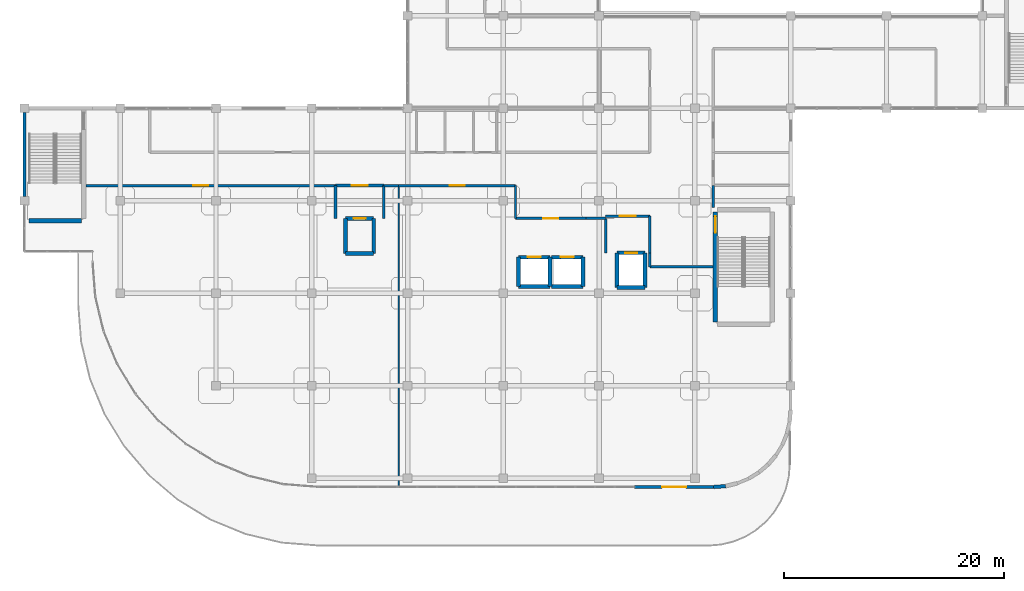
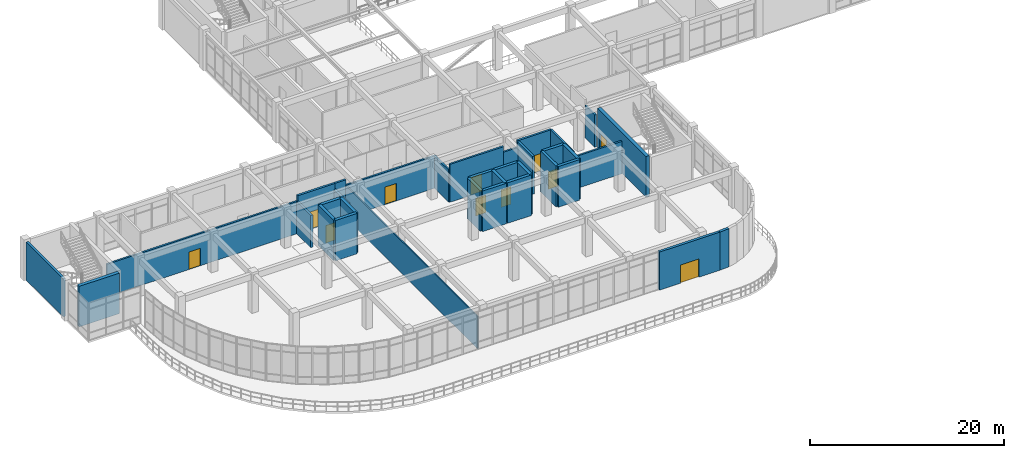
# One storey, part 79 of 96: 36 walls, 11 doors, 11 openings.
"""IFC4 building model written with IfcOpenShell, lengths in metres."""

import ifcopenshell
import ifcopenshell.guid

model = None  # the IFC model being written
_history = None  # IfcOwnerHistory: only IFC2X3 demands one
_inside = {}  # id of a spatial element -> (the spatial element, [elements in it])
_under = {}  # id of a project, library or spatial element -> (it, [spatial elements below it])
_declared = {}  # id of a project -> (the project, [libraries it declares])
_typed = {}  # id of a type object -> (the type object, [elements of that type])
_made_of = {}  # id of a material, layer set ... -> (it, [elements and type objects made of it])


def new_model(schema):
    """Start an empty IFC model of exactly this schema.

    Asked for "IFC4X3", IfcOpenShell would pick the latest addendum, in which some entities
    have other attributes; the version numbers below select the first issue.
    IFC2X3 requires an IfcOwnerHistory on every rooted entity: one is made here for all.
    """
    global model, _history
    if schema == "IFC4X3":
        model = ifcopenshell.file(schema_version=(4, 3, 0, 0))
    else:
        model = ifcopenshell.file(schema=schema)
    _inside.clear()
    _under.clear()
    _declared.clear()
    _typed.clear()
    _made_of.clear()
    _history = None
    if model.schema == "IFC2X3":
        org = make("IfcOrganization", Name="unknown")
        user = make(
            "IfcPersonAndOrganization",
            ThePerson=make("IfcPerson", FamilyName="unknown"),
            TheOrganization=org,
        )
        app = make(
            "IfcApplication",
            ApplicationDeveloper=org,
            Version="unknown",
            ApplicationFullName="unknown",
            ApplicationIdentifier="unknown",
        )
        _history = make(
            "IfcOwnerHistory",
            OwningUser=user,
            OwningApplication=app,
            ChangeAction="ADDED",
            CreationDate=0,
        )
    return model


def make(cls, **values):
    """One entity of the class cls with the attributes given. An attribute that is None is left unset."""
    return model.create_entity(
        cls, **{name: value for name, value in values.items() if value is not None}
    )


def rooted(cls, **values):
    """An entity with a GlobalId (a new one), such as an element, a storey or a relation."""
    return make(cls, GlobalId=ifcopenshell.guid.new(), OwnerHistory=_history, **values)


def si_unit(unit_type, name, prefix=None):
    """IfcSIUnit, for example si_unit("LENGTHUNIT", "METRE", prefix="MILLI")."""
    return make("IfcSIUnit", UnitType=unit_type, Prefix=prefix, Name=name)


def derived_unit(unit_type, elements):
    """IfcDerivedUnit: a product of units, each with its exponent."""
    return make(
        "IfcDerivedUnit",
        Elements=[
            make("IfcDerivedUnitElement", Unit=unit, Exponent=power)
            for unit, power in elements
        ],
        UnitType=unit_type,
    )


def assignment(units):
    """IfcUnitAssignment: the units of a project."""
    return None if units is None else make("IfcUnitAssignment", Units=units)


def point(xyz):
    """IfcCartesianPoint."""
    return None if xyz is None else make("IfcCartesianPoint", Coordinates=xyz)


def direction(xyz):
    """IfcDirection."""
    return None if xyz is None else make("IfcDirection", DirectionRatios=xyz)


def frame(location, z_axis=None, x_axis=None):
    """IfcAxis2Placement3D, a coordinate frame: its origin and axes. An axis left out is left unset."""
    return make(
        "IfcAxis2Placement3D",
        Location=point(location),
        Axis=direction(z_axis),
        RefDirection=direction(x_axis),
    )


def frame_2d(location, x_axis=None):
    """IfcAxis2Placement2D, a coordinate frame in the plane: its origin and x axis."""
    return make(
        "IfcAxis2Placement2D", Location=point(location), RefDirection=direction(x_axis)
    )


def origin():
    """The frame at (0, 0, 0) with its axes left unset."""
    return frame((0.0, 0.0, 0.0))


def place(relative_to, where):
    """IfcLocalPlacement: puts the frame where relative to a parent placement (None: the world)."""
    return make(
        "IfcLocalPlacement", PlacementRelTo=relative_to, RelativePlacement=where
    )


def context(
    kind, dimensions, precision=None, world=None, true_north=None, identifier=None
):
    """IfcGeometricRepresentationContext, for example the 3D "Model" context."""
    return make(
        "IfcGeometricRepresentationContext",
        ContextIdentifier=identifier,
        ContextType=kind,
        CoordinateSpaceDimension=dimensions,
        Precision=precision,
        WorldCoordinateSystem=world,
        TrueNorth=true_north,
    )


def subcontext(parent, identifier, kind, view, scale=None):
    """IfcGeometricRepresentationSubContext, for example "Body" below "Model"."""
    return make(
        "IfcGeometricRepresentationSubContext",
        ContextIdentifier=identifier,
        ContextType=kind,
        ParentContext=parent,
        TargetScale=scale,
        TargetView=view,
    )


def project(units=None, contexts=None):
    """IfcProject with its units and contexts."""
    return rooted(
        "IfcProject",
        Name="project",
        RepresentationContexts=contexts,
        UnitsInContext=assignment(units),
    )


def spatial(cls, under=None, at=None, **own):
    """A site, building, storey or space (cls), placed at a placement, below another one or the project."""
    s = rooted(cls, ObjectPlacement=at, **own)
    if under is not None:
        _under.setdefault(under.id(), (under, []))[1].append(s)
    return s


def profile(cls, at=None, kind="AREA", **sizes):
    """A parametric profile (cls). Its sizes go by their IFC names, for example OverallWidth=200.0."""
    return make(cls, ProfileType=kind, Position=at, **sizes)


def rectangle(**sizes):
    """IfcRectangleProfileDef."""
    return profile("IfcRectangleProfileDef", **sizes)


def extrude(swept, where, along, depth):
    """IfcExtrudedAreaSolid: the profile swept, set in the frame where, extruded along a direction by depth."""
    return make(
        "IfcExtrudedAreaSolid",
        SweptArea=swept,
        Position=where,
        ExtrudedDirection=direction(along),
        Depth=depth,
    )


def shape(context_of_items, identifier, shape_type, items):
    """IfcShapeRepresentation: the items that make up one representation, for example the "Body"."""
    return make(
        "IfcShapeRepresentation",
        ContextOfItems=context_of_items,
        RepresentationIdentifier=identifier,
        RepresentationType=shape_type,
        Items=items,
    )


def material(Name=None, Category=None):
    """IfcMaterial."""
    return make("IfcMaterial", Name=Name, Category=Category)


def layer(
    of_material, thickness, ventilated=None, Name=None, Category=None, Priority=None
):
    """IfcMaterialLayer: one layer of a wall or slab, of a material (None: an air gap)."""
    return make(
        "IfcMaterialLayer",
        Material=of_material,
        LayerThickness=thickness,
        IsVentilated=ventilated,
        Name=Name,
        Category=Category,
        Priority=Priority,
    )


def layer_set(layers, Name=None):
    """IfcMaterialLayerSet."""
    return make("IfcMaterialLayerSet", MaterialLayers=layers, LayerSetName=Name)


def made_of(thing, what):
    """Note that an element or type object is made of a material, layer set ...; save() writes the relation."""
    if what is not None:
        _made_of.setdefault(what.id(), (what, []))[1].append(thing)
    return thing


def type_object(cls, material=None, **own):
    """A type object (cls), such as IfcWallType, which elements share."""
    return made_of(rooted(cls, **own), material)


def element(
    cls,
    number,
    at=None,
    inside=None,
    cuts=None,
    type_object=None,
    material=None,
    context=None,
    identifier="Body",
    shape_type=None,
    held_by="IfcProductDefinitionShape",
    body=None,
    shapes=None,
    **own,
):
    """One element of the class cls, such as IfcWall. Its Tag is "e" and its number.

    at: its placement. inside: the storey or other place that contains it. cuts: it is an
    opening in that element (IfcRelVoidsElement). A single representation is given by context,
    identifier, shape_type and body (its items); several are given by shapes. held_by: the class
    of the entity that holds the representations. save() writes the other relations.
    """
    e = rooted(cls, Tag="e%d" % number, ObjectPlacement=at, **own)
    if body is not None:
        shapes = [shape(context, identifier, shape_type, body)]
    if shapes is not None:
        e.Representation = make(held_by, Representations=shapes)
    if inside is not None:
        _inside.setdefault(inside.id(), (inside, []))[1].append(e)
    if cuts is not None:
        rooted(
            "IfcRelVoidsElement", RelatingBuildingElement=cuts, RelatedOpeningElement=e
        )
    if type_object is not None:
        _typed.setdefault(type_object.id(), (type_object, []))[1].append(e)
    return made_of(e, material)


def fill(opening, filler):
    """IfcRelFillsElement: the door or window that sits in an opening."""
    return rooted(
        "IfcRelFillsElement",
        RelatingOpeningElement=opening,
        RelatedBuildingElement=filler,
    )


def aggregate(whole, parts):
    """IfcRelAggregates: a whole, such as a stair, and the parts it consists of."""
    return rooted("IfcRelAggregates", RelatingObject=whole, RelatedObjects=parts)


def save(model, path):
    """Write the relations noted so far, then the file.

    IfcRelAggregates (storeys below a building ...), IfcRelContainedInSpatialStructure (elements
    in a storey), IfcRelDefinesByType, IfcRelAssociatesMaterial and IfcRelDeclares: one each for
    every whole, place, type object, material and project.
    """
    for whole, parts in _under.values():
        aggregate(whole, parts)
    for where, things in _inside.values():
        rooted(
            "IfcRelContainedInSpatialStructure",
            RelatedElements=things,
            RelatingStructure=where,
        )
    for kind, things in _typed.values():
        rooted("IfcRelDefinesByType", RelatedObjects=things, RelatingType=kind)
    for what, things in _made_of.values():
        rooted("IfcRelAssociatesMaterial", RelatedObjects=things, RelatingMaterial=what)
    for by, libraries in _declared.values():
        rooted("IfcRelDeclares", RelatingContext=by, RelatedDefinitions=libraries)
    model.write(path)


model = new_model("IFC4")

# Units and contexts
model_context = context("Model", 3, precision=1e-05, world=origin(), true_north=direction((0.0, 1.0)))
body_context = subcontext(model_context, "Body", "Model", "MODEL_VIEW")
ifc_project = project(units=[si_unit("LENGTHUNIT", "METRE"), si_unit("AREAUNIT", "SQUARE_METRE"), si_unit("VOLUMEUNIT", "CUBIC_METRE"), si_unit("PLANEANGLEUNIT", "RADIAN"), si_unit("MASSUNIT", "GRAM", prefix="KILO"), derived_unit("THERMALTRANSMITTANCEUNIT", [(si_unit("MASSUNIT", "GRAM", prefix="KILO"), 1), (si_unit("TIMEUNIT", "SECOND"), -3), (si_unit("THERMODYNAMICTEMPERATUREUNIT", "KELVIN"), -1)])], contexts=[model_context])

# Site, building, storey
site_placement = place(None, origin())
site = spatial("IfcSite", under=ifc_project, at=site_placement, CompositionType="ELEMENT")
building_placement = place(site_placement, origin())
building = spatial("IfcBuilding", under=site, at=building_placement, Name="Qinzheling Arcade Emporium", CompositionType="ELEMENT")
storey_placement = place(building_placement, frame((0.0, 0.0, 21.60009765625)))
storey = spatial("IfcBuildingStorey", under=building, at=storey_placement, Name="L05", CompositionType="ELEMENT", Elevation=21.60009765625)

# Wall, opening, door
ifc_material_1 = material(Name="Double-stud acoustic gypsum board partition")
ifc_layer_1 = layer(ifc_material_1, 0.215087890625, Name="Double-stud acoustic gypsum board partition")
ifc_layer_set_1 = layer_set([ifc_layer_1], Name="Double-stud acoustic gypsum board partition")
wall_type_1 = type_object("IfcWallType", Name="Acoustic Corridor Partition Wall 215", PredefinedType="PARTITIONING", material=ifc_layer_set_1)
wall_1_placement = place(storey_placement, frame((44.60009765625, 32.0, 0.0), z_axis=(0.0, 0.0, 1.0), x_axis=(1.0, 0.0, 0.0)))
wall_1 = element("IfcWall", 1, at=wall_1_placement, inside=storey, type_object=wall_type_1, Name="Interior Wall WL-L05-INT-0700", PredefinedType="PARTITIONING", context=body_context, shape_type="SweptSolid", body=[
    extrude(rectangle(XDim=6.39990234375, YDim=0.215087890625, at=frame_2d((3.199951171875, 0.0))), origin(), (0.0, 0.0, 1.0), 4.760009765625),
])
opening_1_placement = place(wall_1_placement, frame((2.52490234375, 0.0, 0.0)))
opening_1 = element("IfcOpeningElement", 2, at=opening_1_placement, cuts=wall_1, Name="Opening FD05", PredefinedType="OPENING", context=body_context, shape_type="SweptSolid", body=[
    extrude(rectangle(XDim=1.35009765625, YDim=2.199951171875, at=frame_2d((0.675048828125, 1.10009765625))), frame((0.0, 0.11767578125, 0.0), z_axis=(0.0, -1.0, 0.0), x_axis=(1.0, 0.0, 0.0)), (0.0, 0.0, 1.0), 0.235107421875),
])
ifc_material_2 = material(Name="Class B fire-rated stainless-clad door")
door_type_1 = type_object("IfcDoorType", Name="Kitchen Fire-Rated Service Door 1350x2200", OperationType="NOTDEFINED", PredefinedType="DOOR", material=ifc_material_2)
door_1_placement = place(opening_1_placement, origin())
door_1 = element("IfcDoor", 3, at=door_1_placement, inside=storey, type_object=door_type_1, Name="FD05 Interior Door DR-L05-INT-0197", OperationType="SINGLE_SWING_RIGHT", OverallHeight=2.199951171875, OverallWidth=1.35009765625, PredefinedType="DOOR", context=body_context, shape_type="SweptSolid", body=[
    extrude(rectangle(XDim=1.35009765625, YDim=2.199951171875, at=frame_2d((0.675048828125, 1.10009765625))), frame((0.0, 0.02490234375, 0.0), z_axis=(0.0, -1.0, 0.0), x_axis=(1.0, 0.0, 0.0)), (0.0, 0.0, 1.0), 0.050048828125),
])
fill(opening_1, door_1)

wall_2_placement = place(storey_placement, frame((28.25, 34.97998046875, 0.0), z_axis=(0.0, 0.0, 1.0), x_axis=(-1.0, 0.0, 0.0)))
wall_2 = element("IfcWall", 4, at=wall_2_placement, inside=storey, type_object=wall_type_1, Name="Interior Wall WL-L05-INT-0744", PredefinedType="PARTITIONING", context=body_context, shape_type="SweptSolid", body=[
    extrude(rectangle(XDim=22.655029296875, YDim=0.215087890625, at=frame_2d((11.32763671875, 0.0))), origin(), (0.0, 0.0, 1.0), 4.059814453125),
])
opening_2_placement = place(wall_2_placement, frame((11.552978515625, 0.0, 0.0)))
opening_2 = element("IfcOpeningElement", 5, at=opening_2_placement, cuts=wall_2, Name="Opening FD05", PredefinedType="OPENING", context=body_context, shape_type="SweptSolid", body=[
    extrude(rectangle(XDim=1.35009765625, YDim=2.199951171875, at=frame_2d((0.675048828125, 1.10009765625))), frame((0.0, 0.11767578125, 0.0), z_axis=(0.0, -1.0, 0.0), x_axis=(1.0, 0.0, 0.0)), (0.0, 0.0, 1.0), 0.235107421875),
])
door_2_placement = place(opening_2_placement, origin())
door_2 = element("IfcDoor", 6, at=door_2_placement, inside=storey, type_object=door_type_1, Name="FD05 Interior Door DR-L05-INT-0208", OperationType="SINGLE_SWING_LEFT", OverallHeight=2.199951171875, OverallWidth=1.35009765625, PredefinedType="DOOR", context=body_context, shape_type="SweptSolid", body=[
    extrude(rectangle(XDim=1.35009765625, YDim=2.199951171875, at=frame_2d((0.675048828125, 1.10009765625))), frame((0.0, 0.02490234375, 0.0), z_axis=(0.0, -1.0, 0.0), x_axis=(1.0, 0.0, 0.0)), (0.0, 0.0, 1.0), 0.050048828125),
])
fill(opening_2, door_2)

# Walls
wall_3_placement = place(storey_placement, frame((34.0, 34.97998046875, 0.0), z_axis=(0.0, 0.0, 1.0), x_axis=(-1.0, 0.0, 0.0)))
element("IfcWall", 7, at=wall_3_placement, inside=storey, type_object=wall_type_1, Name="Interior Wall WL-L05-INT-0745", PredefinedType="PARTITIONING", context=body_context, shape_type="SweptSolid", body=[
    extrude(rectangle(XDim=1.35009765625, YDim=0.215087890625, at=frame_2d((0.675048828125, 0.0))), origin(), (0.0, 0.0, 1.0), 4.760009765625),
])
wall_4_placement = place(storey_placement, frame((44.60009765625, 32.0, 0.0), z_axis=(0.0, 0.0, 1.0), x_axis=(0.0, 1.0, 0.0)))
element("IfcWall", 8, at=wall_4_placement, inside=storey, type_object=wall_type_1, Name="Interior Wall WL-L05-INT-0746", PredefinedType="PARTITIONING", context=body_context, shape_type="SweptSolid", body=[
    extrude(rectangle(XDim=2.97998046875, YDim=0.215087890625, at=frame_2d((1.489990234375, 0.0))), origin(), (0.0, 0.0, 1.0), 4.059814453125),
])

# Wall, opening, door
wall_5_placement = place(storey_placement, frame((44.60009765625, 34.97998046875, 0.0), z_axis=(0.0, 0.0, 1.0), x_axis=(-1.0, 0.0, 0.0)))
wall_5 = element("IfcWall", 9, at=wall_5_placement, inside=storey, type_object=wall_type_1, Name="Interior Wall WL-L05-INT-0747", PredefinedType="PARTITIONING", context=body_context, shape_type="SweptSolid", body=[
    extrude(rectangle(XDim=10.60009765625, YDim=0.215087890625, at=frame_2d((5.300048828125, 0.0))), origin(), (0.0, 0.0, 1.0), 4.059814453125),
])
opening_3_placement = place(wall_5_placement, frame((4.625, 0.0, 0.0)))
opening_3 = element("IfcOpeningElement", 10, at=opening_3_placement, cuts=wall_5, Name="Opening FD05", PredefinedType="OPENING", context=body_context, shape_type="SweptSolid", body=[
    extrude(rectangle(XDim=1.35009765625, YDim=2.199951171875, at=frame_2d((0.675048828125, 1.10009765625))), frame((0.0, 0.11767578125, 0.0), z_axis=(0.0, -1.0, 0.0), x_axis=(1.0, 0.0, 0.0)), (0.0, 0.0, 1.0), 0.235107421875),
])
door_3_placement = place(opening_3_placement, origin())
door_3 = element("IfcDoor", 11, at=door_3_placement, inside=storey, type_object=door_type_1, Name="FD05 Interior Door DR-L05-INT-0209", OperationType="SINGLE_SWING_RIGHT", OverallHeight=2.199951171875, OverallWidth=1.35009765625, PredefinedType="DOOR", context=body_context, shape_type="SweptSolid", body=[
    extrude(rectangle(XDim=1.35009765625, YDim=2.199951171875, at=frame_2d((0.675048828125, 1.10009765625))), frame((0.0, 0.02490234375, 0.0), z_axis=(0.0, -1.0, 0.0), x_axis=(1.0, 0.0, 0.0)), (0.0, 0.0, 1.0), 0.050048828125),
])
fill(opening_3, door_3)

# Walls
wall_6_placement = place(storey_placement, frame((52.800048828125, 32.0, 0.0), z_axis=(0.0, 0.0, 1.0), x_axis=(-1.0, 0.0, 0.0)))
element("IfcWall", 12, at=wall_6_placement, inside=storey, type_object=wall_type_1, Name="Interior Wall WL-L05-INT-0748", PredefinedType="PARTITIONING", context=body_context, shape_type="SweptSolid", body=[
    extrude(rectangle(XDim=1.800048828125, YDim=0.215087890625, at=frame_2d((0.89990234375, 0.0))), origin(), (0.0, 0.0, 1.0), 4.059814453125),
])
wall_7_placement = place(storey_placement, frame((62.544921875, 27.60009765625, 0.0), z_axis=(0.0, 0.0, 1.0), x_axis=(-1.0, 0.0, 0.0)))
element("IfcWall", 13, at=wall_7_placement, inside=storey, type_object=wall_type_1, Name="Interior Wall WL-L05-INT-0749", PredefinedType="PARTITIONING", context=body_context, shape_type="SweptSolid", body=[
    extrude(rectangle(XDim=5.744873046875, YDim=0.215087890625, at=frame_2d((2.87255859375, 0.0))), origin(), (0.0, 0.0, 1.0), 4.059814453125),
])
wall_8_placement = place(storey_placement, frame((56.800048828125, 27.60009765625, 0.0), z_axis=(0.0, 0.0, 1.0), x_axis=(0.0, 1.0, 0.0)))
element("IfcWall", 14, at=wall_8_placement, inside=storey, type_object=wall_type_1, Name="Interior Wall WL-L05-INT-0750", PredefinedType="PARTITIONING", context=body_context, shape_type="SweptSolid", body=[
    extrude(rectangle(XDim=1.27978515625, YDim=0.215087890625, at=frame_2d((0.639892578125, 0.0))), origin(), (0.0, 0.0, 1.0), 4.760009765625),
])
wall_9_placement = place(storey_placement, frame((62.550048828125, 35.0, 0.0), z_axis=(0.0, 0.0, 1.0), x_axis=(0.0, -1.0, 0.0)))
element("IfcWall", 15, at=wall_9_placement, inside=storey, type_object=wall_type_1, Name="Interior Wall WL-L05-INT-0751", PredefinedType="PARTITIONING", context=body_context, shape_type="SweptSolid", body=[
    extrude(rectangle(XDim=2.0, YDim=0.215087890625, at=frame_2d((1.0, 0.0))), origin(), (0.0, 0.0, 1.0), 4.059814453125),
])
ifc_material_3 = material(Name="Insulated aluminium-clad spandrel wall", Category="aluminium")
ifc_layer_2 = layer(ifc_material_3, 0.260009765625, Name="Insulated aluminium-clad spandrel wall", Category="aluminium")
ifc_layer_set_2 = layer_set([ifc_layer_2], Name="Insulated aluminium-clad spandrel wall")
wall_type_2 = type_object("IfcWallType", Name="Arcade Clerestory Spandrel Wall 260", PredefinedType="STANDARD", material=ifc_layer_set_2)
wall_10_placement = place(storey_placement, frame((0.0, 34.001953125, 0.0), z_axis=(0.0, 0.0, 1.0), x_axis=(0.0, 1.0, 0.0)))
element("IfcWall", 16, at=wall_10_placement, inside=storey, type_object=wall_type_2, Name="Exterior Wall WL-L05-EW-0275", PredefinedType="STANDARD", context=body_context, shape_type="SweptSolid", body=[
    extrude(rectangle(XDim=7.595947265625, YDim=0.260009765625, at=frame_2d((3.7978515625, 0.0))), origin(), (0.0, 0.0, 1.0), 4.789794921875),
])
ifc_material_4 = material(Name="Glazed-transom steel-stud office partition", Category="steel")
ifc_layer_3 = layer(ifc_material_4, 0.135009765625, Name="Glazed-transom steel-stud office partition", Category="steel")
ifc_layer_set_3 = layer_set([ifc_layer_3], Name="Glazed-transom steel-stud office partition")
wall_type_3 = type_object("IfcWallType", Name="Buying Office Acoustic Partition Wall 135", PredefinedType="PARTITIONING", material=ifc_layer_set_3)
wall_11_placement = place(storey_placement, frame((34.0, 34.97998046875, 0.0), z_axis=(0.0, 0.0, 1.0), x_axis=(0.0, -1.0, 0.0)))
element("IfcWall", 17, at=wall_11_placement, inside=storey, type_object=wall_type_3, Name="Interior Wall WL-L05-INT-0781", PredefinedType="PARTITIONING", context=body_context, shape_type="SweptSolid", body=[
    extrude(rectangle(XDim=27.280029296875, YDim=0.135009765625, at=frame_2d((13.64013671875, 0.0))), origin(), (0.0, 0.0, 1.0), 4.059814453125),
])
ifc_material_5 = material(Name="Glazed cream terracotta insulated wall", Category="masonry")
ifc_layer_4 = layer(ifc_material_5, 0.320068359375, Name="Glazed cream terracotta insulated wall", Category="masonry")
ifc_layer_set_4 = layer_set([ifc_layer_4], Name="Glazed cream terracotta insulated wall")
wall_type_4 = type_object("IfcWallType", Name="Chicago Frame Infill Wall 320", PredefinedType="STANDARD", material=ifc_layer_set_4)
wall_12_placement = place(storey_placement, frame((63.695068359375, 7.68603515625, 0.0), z_axis=(0.0, 0.0, 1.0), x_axis=(-0.996934299449, -0.078243227069, 0.0)))
element("IfcWall", 18, at=wall_12_placement, inside=storey, type_object=wall_type_4, Name="Exterior Wall WL-L05-EW-0273", PredefinedType="STANDARD", context=body_context, shape_type="SweptSolid", body=[
    extrude(rectangle(XDim=1.098388671875, YDim=0.320068359375, at=frame_2d((0.54931640625, 0.0))), origin(), (0.0, 0.0, 1.0), 4.789794921875),
])

# Wall, opening, door
ifc_material_6 = material(Name="Fire-rated double-stud gypsum and mineral wool wall")
ifc_layer_5 = layer(ifc_material_6, 0.2451171875, Name="Fire-rated double-stud gypsum and mineral wool wall")
ifc_layer_set_5 = layer_set([ifc_layer_5], Name="Fire-rated double-stud gypsum and mineral wool wall")
wall_type_5 = type_object("IfcWallType", Name="Firefighting Lobby Rated Wall 245", PredefinedType="STANDARD", material=ifc_layer_set_5)
wall_13_placement = place(storey_placement, frame((52.800048828125, 32.199951171875, 0.0), z_axis=(0.0, 0.0, 1.0), x_axis=(1.0, 0.0, 0.0)))
wall_13 = element("IfcWall", 19, at=wall_13_placement, inside=storey, type_object=wall_type_5, Name="Interior Wall WL-L05-INT-0691", PredefinedType="STANDARD", context=body_context, shape_type="SweptSolid", body=[
    extrude(rectangle(XDim=4.0, YDim=0.2451171875, at=frame_2d((2.0, 0.0))), origin(), (0.0, 0.0, 1.0), 4.760009765625),
])
opening_4_placement = place(wall_13_placement, frame((1.27490234375, 0.0, 0.0)))
opening_4 = element("IfcOpeningElement", 20, at=opening_4_placement, cuts=wall_13, Name="Opening FD02", PredefinedType="OPENING", context=body_context, shape_type="SweptSolid", body=[
    extrude(rectangle(XDim=1.449951171875, YDim=2.199951171875, at=frame_2d((0.72509765625, 1.10009765625))), frame((0.0, 0.132568359375, 0.0), z_axis=(0.0, -1.0, 0.0), x_axis=(1.0, 0.0, 0.0)), (0.0, 0.0, 1.0), 0.26513671875),
])
ifc_material_7 = material(Name="Class A fire-rated steel double door", Category="steel")
door_type_2 = type_object("IfcDoorType", Name="Firefighting Lobby Fire Door 1450x2200", OperationType="DOUBLE_DOOR_SINGLE_SWING", PredefinedType="DOOR", material=ifc_material_7)
door_4_placement = place(opening_4_placement, origin())
door_4 = element("IfcDoor", 21, at=door_4_placement, inside=storey, type_object=door_type_2, Name="FD02 Interior Door DR-L05-INT-0194", OperationType="DOUBLE_DOOR_SINGLE_SWING", OverallHeight=2.199951171875, OverallWidth=1.449951171875, PredefinedType="DOOR", context=body_context, shape_type="SweptSolid", body=[
    extrude(rectangle(XDim=1.449951171875, YDim=2.199951171875, at=frame_2d((0.72509765625, 1.10009765625))), frame((0.0, 0.02490234375, 0.0), z_axis=(0.0, -1.0, 0.0), x_axis=(1.0, 0.0, 0.0)), (0.0, 0.0, 1.0), 0.050048828125),
])
fill(opening_4, door_4)

# Walls
wall_14_placement = place(storey_placement, frame((56.800048828125, 32.199951171875, 0.0), z_axis=(0.0, 0.0, 1.0), x_axis=(0.0, -1.0, 0.0)))
element("IfcWall", 22, at=wall_14_placement, inside=storey, type_object=wall_type_5, Name="Interior Wall WL-L05-INT-0692", PredefinedType="STANDARD", context=body_context, shape_type="SweptSolid", body=[
    extrude(rectangle(XDim=3.320068359375, YDim=0.2451171875, at=frame_2d((1.66015625, 0.0))), origin(), (0.0, 0.0, 1.0), 4.760009765625),
])
wall_15_placement = place(storey_placement, frame((52.800048828125, 28.8798828125, 0.0), z_axis=(0.0, 0.0, 1.0), x_axis=(0.0, 1.0, 0.0)))
element("IfcWall", 23, at=wall_15_placement, inside=storey, type_object=wall_type_5, Name="Interior Wall WL-L05-INT-0693", PredefinedType="STANDARD", context=body_context, shape_type="SweptSolid", body=[
    extrude(rectangle(XDim=3.1201171875, YDim=0.2451171875, at=frame_2d((1.56005859375, 0.0))), origin(), (0.0, 0.0, 1.0), 4.760009765625),
])

# Wall, opening, door
wall_16_placement = place(storey_placement, frame((28.25, 34.97998046875, 0.0), z_axis=(0.0, 0.0, 1.0), x_axis=(1.0, 0.0, 0.0)))
wall_16 = element("IfcWall", 24, at=wall_16_placement, inside=storey, type_object=wall_type_5, Name="Interior Wall WL-L05-INT-0694", PredefinedType="STANDARD", context=body_context, shape_type="SweptSolid", body=[
    extrude(rectangle(XDim=4.39990234375, YDim=0.2451171875, at=frame_2d((2.199951171875, 0.0))), origin(), (0.0, 0.0, 1.0), 4.760009765625),
])
opening_5_placement = place(wall_16_placement, frame((1.47509765625, 0.0, 0.0)))
opening_5 = element("IfcOpeningElement", 25, at=opening_5_placement, cuts=wall_16, Name="Opening FD02", PredefinedType="OPENING", context=body_context, shape_type="SweptSolid", body=[
    extrude(rectangle(XDim=1.449951171875, YDim=2.199951171875, at=frame_2d((0.72509765625, 1.10009765625))), frame((0.0, 0.132568359375, 0.0), z_axis=(0.0, -1.0, 0.0), x_axis=(1.0, 0.0, 0.0)), (0.0, 0.0, 1.0), 0.26513671875),
])
door_5_placement = place(opening_5_placement, origin())
door_5 = element("IfcDoor", 26, at=door_5_placement, inside=storey, type_object=door_type_2, Name="FD02 Interior Door DR-L05-INT-0195", OperationType="DOUBLE_DOOR_SINGLE_SWING", OverallHeight=2.199951171875, OverallWidth=1.449951171875, PredefinedType="DOOR", context=body_context, shape_type="SweptSolid", body=[
    extrude(rectangle(XDim=1.449951171875, YDim=2.199951171875, at=frame_2d((0.72509765625, 1.10009765625))), frame((0.0, 0.02490234375, 0.0), z_axis=(0.0, -1.0, 0.0), x_axis=(1.0, 0.0, 0.0)), (0.0, 0.0, 1.0), 0.050048828125),
])
fill(opening_5, door_5)

# Walls
for number, where, z_axis, x_axis, name in (
    (27, (28.25, 31.97998046875, 0.0), (0.0, 0.0, 1.0), (0.0, 1.0, 0.0), "Interior Wall WL-L05-INT-0695"),
    (28, (32.64990234375, 34.97998046875, 0.0), (0.0, 0.0, 1.0), (0.0, -1.0, 0.0), "Interior Wall WL-L05-INT-0696"),
):
    element("IfcWall", number, at=place(storey_placement, frame(where, z_axis=z_axis, x_axis=x_axis)), inside=storey, type_object=wall_type_5, Name=name, PredefinedType="STANDARD", context=body_context, shape_type="SweptSolid", body=[
        extrude(rectangle(XDim=3.0, YDim=0.2451171875, at=frame_2d((1.5, 0.0))), origin(), (0.0, 0.0, 1.0), 4.059814453125),
    ])

# Wall, opening, door
ifc_material_8 = material(Name="Concrete C40", Category="concrete")
ifc_layer_6 = layer(ifc_material_8, 0.35009765625, Name="Concrete C40", Category="concrete")
ifc_layer_set_6 = layer_set([ifc_layer_6], Name="Concrete C40")
wall_type_6 = type_object("IfcWallType", Name="RC Lift Shaft Shear Wall 350 C40", PredefinedType="SHEAR", material=ifc_layer_set_6)
wall_17_placement = place(storey_placement, frame((53.824951171875, 28.875, 0.0), z_axis=(0.0, 0.0, 1.0), x_axis=(1.0, 0.0, 0.0)))
wall_17 = element("IfcWall", 29, at=wall_17_placement, inside=storey, type_object=wall_type_6, Name="Lift Shaft Wall WL-L05-LFT-LF01-N", PredefinedType="SHEAR", context=body_context, shape_type="SweptSolid", body=[
    extrude(rectangle(XDim=2.550048828125, YDim=0.35009765625, at=frame_2d((1.27490234375, 0.0))), origin(), (0.0, 0.0, 1.0), 5.099853515625),
])
opening_6_placement = place(wall_17_placement, frame((0.72509765625, 0.0, 0.0)))
opening_6 = element("IfcOpeningElement", 30, at=opening_6_placement, cuts=wall_17, Name="Opening LD01", PredefinedType="OPENING", context=body_context, shape_type="SweptSolid", body=[
    extrude(rectangle(XDim=1.10009765625, YDim=2.199951171875, at=frame_2d((0.550048828125, 1.10009765625))), frame((0.0, 0.18505859375, 0.0), z_axis=(0.0, -1.0, 0.0), x_axis=(1.0, 0.0, 0.0)), (0.0, 0.0, 1.0), 0.3701171875),
])
ifc_material_9 = material(Name="Fire-rated stainless steel sliding lift door", Category="steel")
door_type_3 = type_object("IfcDoorType", Name="Firefighting Lift Sliding Landing Door 1100x2200", OperationType="DOUBLE_DOOR_SLIDING", PredefinedType="DOOR", material=ifc_material_9)
door_6_placement = place(opening_6_placement, origin())
door_6 = element("IfcDoor", 31, at=door_6_placement, inside=storey, type_object=door_type_3, Name="LD01 Lift Landing Door LF01 L05", OperationType="DOUBLE_DOOR_SLIDING", OverallHeight=2.199951171875, OverallWidth=1.10009765625, PredefinedType="DOOR", context=body_context, shape_type="SweptSolid", body=[
    extrude(rectangle(XDim=1.10009765625, YDim=2.199951171875, at=frame_2d((0.550048828125, 1.10009765625))), frame((0.0, 0.02490234375, 0.0), z_axis=(0.0, -1.0, 0.0), x_axis=(1.0, 0.0, 0.0)), (0.0, 0.0, 1.0), 0.050048828125),
])
fill(opening_6, door_6)

# Walls
wall_18_placement = place(storey_placement, frame((56.375, 25.72509765625, 0.0), z_axis=(0.0, 0.0, 1.0), x_axis=(-1.0, 0.0, 0.0)))
element("IfcWall", 32, at=wall_18_placement, inside=storey, type_object=wall_type_6, Name="Lift Shaft Wall WL-L05-LFT-LF01-S", PredefinedType="SHEAR", context=body_context, shape_type="SweptSolid", body=[
    extrude(rectangle(XDim=2.550048828125, YDim=0.35009765625, at=frame_2d((1.27490234375, 0.0))), origin(), (0.0, 0.0, 1.0), 5.099853515625),
])
for number, where, z_axis, x_axis, name in (
    (33, (53.824951171875, 25.72509765625, 0.0), (0.0, 0.0, 1.0), (0.0, 1.0, 0.0), "Lift Shaft Wall WL-L05-LFT-LF01-W"),
    (34, (56.375, 28.875, 0.0), (0.0, 0.0, 1.0), (0.0, -1.0, 0.0), "Lift Shaft Wall WL-L05-LFT-LF01-E"),
):
    element("IfcWall", number, at=place(storey_placement, frame(where, z_axis=z_axis, x_axis=x_axis)), inside=storey, type_object=wall_type_6, Name=name, PredefinedType="SHEAR", context=body_context, shape_type="SweptSolid", body=[
        extrude(rectangle(XDim=3.14990234375, YDim=0.35009765625, at=frame_2d((1.574951171875, 0.0))), origin(), (0.0, 0.0, 1.0), 5.099853515625),
    ])

# Wall, opening, door
wall_19_placement = place(storey_placement, frame((29.175048828125, 31.97509765625, 0.0), z_axis=(0.0, 0.0, 1.0), x_axis=(1.0, 0.0, 0.0)))
wall_19 = element("IfcWall", 35, at=wall_19_placement, inside=storey, type_object=wall_type_6, Name="Lift Shaft Wall WL-L05-LFT-LF02-N", PredefinedType="SHEAR", context=body_context, shape_type="SweptSolid", body=[
    extrude(rectangle(XDim=2.550048828125, YDim=0.35009765625, at=frame_2d((1.27490234375, 0.0))), origin(), (0.0, 0.0, 1.0), 5.099853515625),
])
opening_7_placement = place(wall_19_placement, frame((0.72509765625, 0.0, 0.0)))
opening_7 = element("IfcOpeningElement", 36, at=opening_7_placement, cuts=wall_19, Name="Opening LD01", PredefinedType="OPENING", context=body_context, shape_type="SweptSolid", body=[
    extrude(rectangle(XDim=1.10009765625, YDim=2.199951171875, at=frame_2d((0.550048828125, 1.10009765625))), frame((0.0, 0.18505859375, 0.0), z_axis=(0.0, -1.0, 0.0), x_axis=(1.0, 0.0, 0.0)), (0.0, 0.0, 1.0), 0.3701171875),
])
door_7_placement = place(opening_7_placement, origin())
door_7 = element("IfcDoor", 37, at=door_7_placement, inside=storey, type_object=door_type_3, Name="LD01 Lift Landing Door LF02 L05", OperationType="DOUBLE_DOOR_SLIDING", OverallHeight=2.199951171875, OverallWidth=1.10009765625, PredefinedType="DOOR", context=body_context, shape_type="SweptSolid", body=[
    extrude(rectangle(XDim=1.10009765625, YDim=2.199951171875, at=frame_2d((0.550048828125, 1.10009765625))), frame((0.0, 0.02490234375, 0.0), z_axis=(0.0, -1.0, 0.0), x_axis=(1.0, 0.0, 0.0)), (0.0, 0.0, 1.0), 0.050048828125),
])
fill(opening_7, door_7)

# Walls
wall_20_placement = place(storey_placement, frame((31.72509765625, 28.824951171875, 0.0), z_axis=(0.0, 0.0, 1.0), x_axis=(-1.0, 0.0, 0.0)))
element("IfcWall", 38, at=wall_20_placement, inside=storey, type_object=wall_type_6, Name="Lift Shaft Wall WL-L05-LFT-LF02-S", PredefinedType="SHEAR", context=body_context, shape_type="SweptSolid", body=[
    extrude(rectangle(XDim=2.550048828125, YDim=0.35009765625, at=frame_2d((1.27490234375, 0.0))), origin(), (0.0, 0.0, 1.0), 5.099853515625),
])
for number, where, z_axis, x_axis, name in (
    (39, (29.175048828125, 28.824951171875, 0.0), (0.0, 0.0, 1.0), (0.0, 1.0, 0.0), "Lift Shaft Wall WL-L05-LFT-LF02-W"),
    (40, (31.72509765625, 31.97509765625, 0.0), (0.0, 0.0, 1.0), (0.0, -1.0, 0.0), "Lift Shaft Wall WL-L05-LFT-LF02-E"),
):
    element("IfcWall", number, at=place(storey_placement, frame(where, z_axis=z_axis, x_axis=x_axis)), inside=storey, type_object=wall_type_6, Name=name, PredefinedType="SHEAR", context=body_context, shape_type="SweptSolid", body=[
        extrude(rectangle(XDim=3.150146484375, YDim=0.35009765625, at=frame_2d((1.5751953125, 0.0))), origin(), (0.0, 0.0, 1.0), 5.099853515625),
    ])

# Wall, opening, door
wall_21_placement = place(storey_placement, frame((44.875, 28.47509765625, 0.0), z_axis=(0.0, 0.0, 1.0), x_axis=(1.0, 0.0, 0.0)))
wall_21 = element("IfcWall", 41, at=wall_21_placement, inside=storey, type_object=wall_type_6, Name="Lift Shaft Wall WL-L05-LFT-LP01-N", PredefinedType="SHEAR", context=body_context, shape_type="SweptSolid", body=[
    extrude(rectangle(XDim=2.85009765625, YDim=0.35009765625, at=frame_2d((1.425048828125, 0.0))), origin(), (0.0, 0.0, 1.0), 5.099853515625),
])
opening_8_placement = place(wall_21_placement, frame((0.824951171875, 0.0, 0.0)))
opening_8 = element("IfcOpeningElement", 42, at=opening_8_placement, cuts=wall_21, Name="Opening LD02", PredefinedType="OPENING", context=body_context, shape_type="SweptSolid", body=[
    extrude(rectangle(XDim=1.199951171875, YDim=2.199951171875, at=frame_2d((0.60009765625, 1.10009765625))), frame((0.0, 0.18505859375, 0.0), z_axis=(0.0, -1.0, 0.0), x_axis=(1.0, 0.0, 0.0)), (0.0, 0.0, 1.0), 0.3701171875),
])
ifc_material_10 = material(Name="Brushed bronze stainless sliding lift door")
door_type_4 = type_object("IfcDoorType", Name="Passenger Lift Sliding Landing Door 1200x2200", OperationType="DOUBLE_DOOR_SLIDING", PredefinedType="DOOR", material=ifc_material_10)
door_8_placement = place(opening_8_placement, origin())
door_8 = element("IfcDoor", 43, at=door_8_placement, inside=storey, type_object=door_type_4, Name="LD02 Lift Landing Door LP01 L05", OperationType="DOUBLE_DOOR_SLIDING", OverallHeight=2.199951171875, OverallWidth=1.199951171875, PredefinedType="DOOR", context=body_context, shape_type="SweptSolid", body=[
    extrude(rectangle(XDim=1.199951171875, YDim=2.199951171875, at=frame_2d((0.60009765625, 1.10009765625))), frame((0.0, 0.02490234375, 0.0), z_axis=(0.0, -1.0, 0.0), x_axis=(1.0, 0.0, 0.0)), (0.0, 0.0, 1.0), 0.050048828125),
])
fill(opening_8, door_8)

# Walls
wall_22_placement = place(storey_placement, frame((47.72509765625, 25.824951171875, 0.0), z_axis=(0.0, 0.0, 1.0), x_axis=(-1.0, 0.0, 0.0)))
element("IfcWall", 44, at=wall_22_placement, inside=storey, type_object=wall_type_6, Name="Lift Shaft Wall WL-L05-LFT-LP01-S", PredefinedType="SHEAR", context=body_context, shape_type="SweptSolid", body=[
    extrude(rectangle(XDim=2.85009765625, YDim=0.35009765625, at=frame_2d((1.425048828125, 0.0))), origin(), (0.0, 0.0, 1.0), 5.099853515625),
])
for number, where, z_axis, x_axis, name in (
    (45, (44.875, 25.824951171875, 0.0), (0.0, 0.0, 1.0), (0.0, 1.0, 0.0), "Lift Shaft Wall WL-L05-LFT-LP01-W"),
    (46, (47.72509765625, 28.47509765625, 0.0), (0.0, 0.0, 1.0), (0.0, -1.0, 0.0), "Lift Shaft Wall WL-L05-LFT-LP01-E"),
):
    element("IfcWall", number, at=place(storey_placement, frame(where, z_axis=z_axis, x_axis=x_axis)), inside=storey, type_object=wall_type_6, Name=name, PredefinedType="SHEAR", context=body_context, shape_type="SweptSolid", body=[
        extrude(rectangle(XDim=2.650146484375, YDim=0.35009765625, at=frame_2d((1.3251953125, 0.0))), origin(), (0.0, 0.0, 1.0), 5.099853515625),
    ])

# Wall, opening, door
wall_23_placement = place(storey_placement, frame((47.875, 28.47509765625, 0.0), z_axis=(0.0, 0.0, 1.0), x_axis=(1.0, 0.0, 0.0)))
wall_23 = element("IfcWall", 47, at=wall_23_placement, inside=storey, type_object=wall_type_6, Name="Lift Shaft Wall WL-L05-LFT-LP02-N", PredefinedType="SHEAR", context=body_context, shape_type="SweptSolid", body=[
    extrude(rectangle(XDim=2.85009765625, YDim=0.35009765625, at=frame_2d((1.425048828125, 0.0))), origin(), (0.0, 0.0, 1.0), 5.099853515625),
])
opening_9_placement = place(wall_23_placement, frame((0.824951171875, 0.0, 0.0)))
opening_9 = element("IfcOpeningElement", 48, at=opening_9_placement, cuts=wall_23, Name="Opening LD02", PredefinedType="OPENING", context=body_context, shape_type="SweptSolid", body=[
    extrude(rectangle(XDim=1.199951171875, YDim=2.199951171875, at=frame_2d((0.60009765625, 1.10009765625))), frame((0.0, 0.18505859375, 0.0), z_axis=(0.0, -1.0, 0.0), x_axis=(1.0, 0.0, 0.0)), (0.0, 0.0, 1.0), 0.3701171875),
])
door_9_placement = place(opening_9_placement, origin())
door_9 = element("IfcDoor", 49, at=door_9_placement, inside=storey, type_object=door_type_4, Name="LD02 Lift Landing Door LP02 L05", OperationType="DOUBLE_DOOR_SLIDING", OverallHeight=2.199951171875, OverallWidth=1.199951171875, PredefinedType="DOOR", context=body_context, shape_type="SweptSolid", body=[
    extrude(rectangle(XDim=1.199951171875, YDim=2.199951171875, at=frame_2d((0.60009765625, 1.10009765625))), frame((0.0, 0.02490234375, 0.0), z_axis=(0.0, -1.0, 0.0), x_axis=(1.0, 0.0, 0.0)), (0.0, 0.0, 1.0), 0.050048828125),
])
fill(opening_9, door_9)

# Walls
wall_24_placement = place(storey_placement, frame((50.72509765625, 25.824951171875, 0.0), z_axis=(0.0, 0.0, 1.0), x_axis=(-1.0, 0.0, 0.0)))
element("IfcWall", 50, at=wall_24_placement, inside=storey, type_object=wall_type_6, Name="Lift Shaft Wall WL-L05-LFT-LP02-S", PredefinedType="SHEAR", context=body_context, shape_type="SweptSolid", body=[
    extrude(rectangle(XDim=2.85009765625, YDim=0.35009765625, at=frame_2d((1.425048828125, 0.0))), origin(), (0.0, 0.0, 1.0), 5.099853515625),
])
wall_25_placement = place(storey_placement, frame((50.72509765625, 28.47509765625, 0.0), z_axis=(0.0, 0.0, 1.0), x_axis=(0.0, -1.0, 0.0)))
element("IfcWall", 51, at=wall_25_placement, inside=storey, type_object=wall_type_6, Name="Lift Shaft Wall WL-L05-LFT-LP02-E", PredefinedType="SHEAR", context=body_context, shape_type="SweptSolid", body=[
    extrude(rectangle(XDim=2.650146484375, YDim=0.35009765625, at=frame_2d((1.3251953125, 0.0))), origin(), (0.0, 0.0, 1.0), 5.099853515625),
])

# Wall, opening, door
ifc_material_11 = material(Name="Concrete C50", Category="concrete")
ifc_layer_7 = layer(ifc_material_11, 0.39990234375, Name="Concrete C50", Category="concrete")
ifc_layer_set_7 = layer_set([ifc_layer_7], Name="Concrete C50")
wall_type_7 = type_object("IfcWallType", Name="RC Stair Core Shear Wall 400 C50", PredefinedType="SHEAR", material=ifc_layer_set_7)
wall_26_placement = place(storey_placement, frame((62.75, 22.60009765625, 0.0), z_axis=(0.0, 0.0, 1.0), x_axis=(0.0, 1.0, 0.0)))
wall_26 = element("IfcWall", 52, at=wall_26_placement, inside=storey, type_object=wall_type_7, Name="Stair Core Wall WL-L05-ST01-WEST", PredefinedType="SHEAR", context=body_context, shape_type="SweptSolid", body=[
    extrude(rectangle(XDim=10.0, YDim=0.39990234375, at=frame_2d((5.0, 0.0))), origin(), (0.0, 0.0, 1.0), 5.099853515625),
])
opening_10_placement = place(wall_26_placement, frame((8.090087890625, 0.0, 0.0)))
opening_10 = element("IfcOpeningElement", 53, at=opening_10_placement, cuts=wall_26, Name="Opening FD01", PredefinedType="OPENING", context=body_context, shape_type="SweptSolid", body=[
    extrude(rectangle(XDim=1.5, YDim=2.199951171875, at=frame_2d((0.75, 1.10009765625))), frame((0.0, 0.2099609375, 0.0), z_axis=(0.0, -1.0, 0.0), x_axis=(1.0, 0.0, 0.0)), (0.0, 0.0, 1.0), 0.419921875),
])
door_type_5 = type_object("IfcDoorType", Name="Stairwell Smoke-Proof Fire Door 1500x2200", OperationType="DOUBLE_DOOR_SINGLE_SWING", PredefinedType="DOOR", material=ifc_material_7)
door_10_placement = place(opening_10_placement, origin())
door_10 = element("IfcDoor", 54, at=door_10_placement, inside=storey, type_object=door_type_5, Name="FD01 Stairwell Fire Door DR-L05-ST01-FD", OperationType="DOUBLE_DOOR_SINGLE_SWING", OverallHeight=2.199951171875, OverallWidth=1.5, PredefinedType="DOOR", context=body_context, shape_type="SweptSolid", body=[
    extrude(rectangle(XDim=1.5, YDim=2.199951171875, at=frame_2d((0.75, 1.10009765625))), frame((0.0, 0.02490234375, 0.0), z_axis=(0.0, -1.0, 0.0), x_axis=(1.0, 0.0, 0.0)), (0.0, 0.0, 1.0), 0.050048828125),
])
fill(opening_10, door_10)

# Wall
wall_27_placement = place(storey_placement, frame((5.18994140625, 31.800048828125, 0.0), z_axis=(0.0, 0.0, 1.0), x_axis=(-1.0, 0.0, 0.0)))
element("IfcWall", 55, at=wall_27_placement, inside=storey, type_object=wall_type_7, Name="Stair Core Wall WL-L05-ST02-SOUTH", PredefinedType="SHEAR", context=body_context, shape_type="SweptSolid", body=[
    extrude(rectangle(XDim=4.7900390625, YDim=0.39990234375, at=frame_2d((2.39501953125, 0.0))), origin(), (0.0, 0.0, 1.0), 5.099853515625),
])

# Wall, opening, door
ifc_layer_8 = layer(ifc_material_5, 0.300048828125, Name="Glazed cream terracotta insulated wall", Category="masonry")
ifc_layer_set_8 = layer_set([ifc_layer_8], Name="Glazed cream terracotta insulated wall")
wall_type_8 = type_object("IfcWallType", Name="Terrace Facade Infill Wall 300", PredefinedType="STANDARD", material=ifc_layer_set_8)
wall_28_placement = place(storey_placement, frame((62.60009765625, 7.60009765625, 0.0), z_axis=(0.0, 0.0, 1.0), x_axis=(-1.0, 0.0, 0.0)))
wall_28 = element("IfcWall", 56, at=wall_28_placement, inside=storey, type_object=wall_type_8, Name="Exterior Wall WL-L05-EW-0274", PredefinedType="STANDARD", context=body_context, shape_type="SweptSolid", body=[
    extrude(rectangle(XDim=7.177978515625, YDim=0.300048828125, at=frame_2d((3.5888671875, 0.0))), origin(), (0.0, 0.0, 1.0), 4.789794921875),
])
opening_11_placement = place(wall_28_placement, frame((2.489013671875, 0.0, 0.0)))
opening_11 = element("IfcOpeningElement", 57, at=opening_11_placement, cuts=wall_28, Name="Opening TD01", PredefinedType="OPENING", context=body_context, shape_type="SweptSolid", body=[
    extrude(rectangle(XDim=2.199951171875, YDim=2.300048828125, at=frame_2d((1.10009765625, 1.14990234375))), frame((0.0, 0.16015625, 0.0), z_axis=(0.0, -1.0, 0.0), x_axis=(1.0, 0.0, 0.0)), (0.0, 0.0, 1.0), 0.320068359375),
])
ifc_material_12 = material(Name="Thermally broken aluminium and double glass", Category="aluminium")
door_type_6 = type_object("IfcDoorType", Name="Curved Sales Terrace Double Door 2200x2300", OperationType="DOUBLE_DOOR_SINGLE_SWING", PredefinedType="DOOR", material=ifc_material_12)
door_11_placement = place(opening_11_placement, origin())
door_11 = element("IfcDoor", 58, at=door_11_placement, inside=storey, type_object=door_type_6, Name="TD01 Exterior Door DR-L05-EXT-037", OperationType="DOUBLE_DOOR_SINGLE_SWING", OverallHeight=2.300048828125, OverallWidth=2.199951171875, PredefinedType="DOOR", context=body_context, shape_type="SweptSolid", body=[
    extrude(rectangle(XDim=2.199951171875, YDim=2.300048828125, at=frame_2d((1.10009765625, 1.14990234375))), frame((0.0, 0.02490234375, 0.0), z_axis=(0.0, -1.0, 0.0), x_axis=(1.0, 0.0, 0.0)), (0.0, 0.0, 1.0), 0.050048828125),
])
fill(opening_11, door_11)

save(model, "model.ifc")
